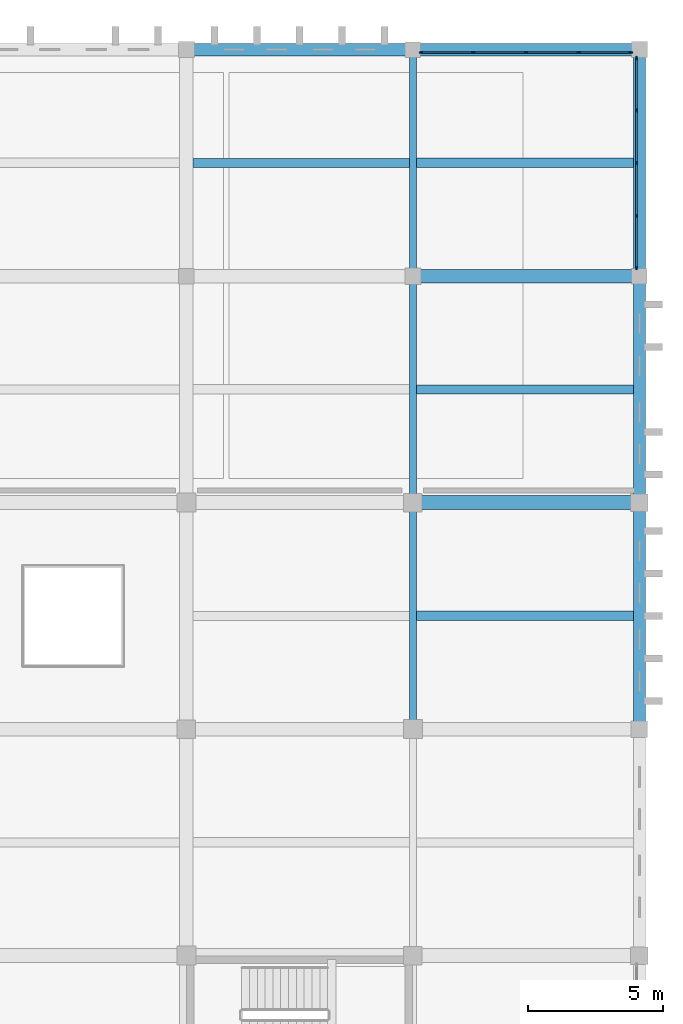
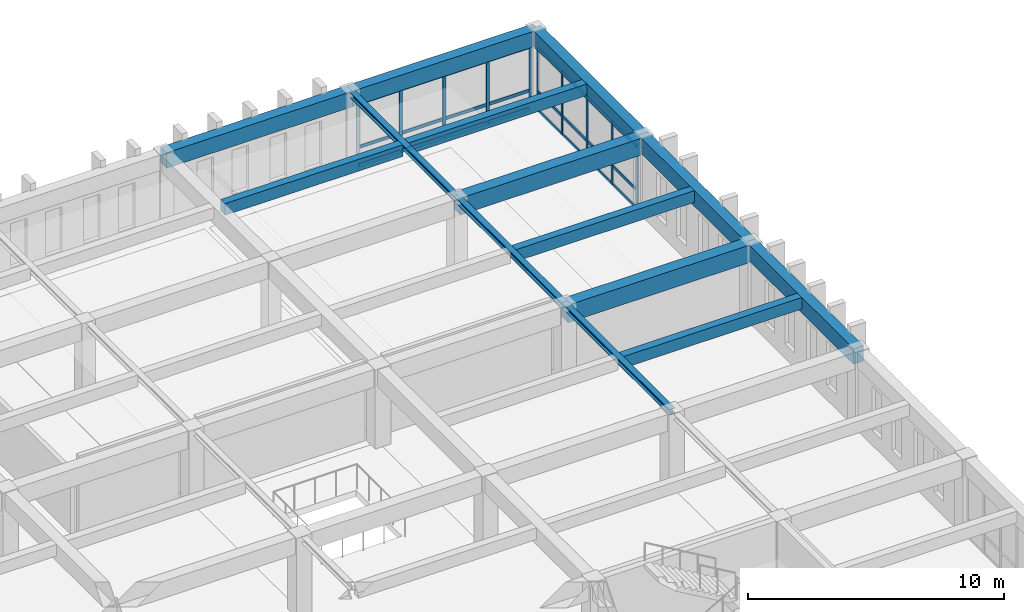
# One storey, part 53 of 110: 34 members, 14 beams, 2 elements without a shape of their own.
"""IFC4 building model written with IfcOpenShell, lengths in metres."""

import ifcopenshell
import ifcopenshell.guid

model = None  # the IFC model being written
_history = None  # IfcOwnerHistory: only IFC2X3 demands one
_inside = {}  # id of a spatial element -> (the spatial element, [elements in it])
_under = {}  # id of a project, library or spatial element -> (it, [spatial elements below it])
_declared = {}  # id of a project -> (the project, [libraries it declares])
_typed = {}  # id of a type object -> (the type object, [elements of that type])
_made_of = {}  # id of a material, layer set ... -> (it, [elements and type objects made of it])


def new_model(schema):
    """Start an empty IFC model of exactly this schema.

    Asked for "IFC4X3", IfcOpenShell would pick the latest addendum, in which some entities
    have other attributes; the version numbers below select the first issue.
    IFC2X3 requires an IfcOwnerHistory on every rooted entity: one is made here for all.
    """
    global model, _history
    if schema == "IFC4X3":
        model = ifcopenshell.file(schema_version=(4, 3, 0, 0))
    else:
        model = ifcopenshell.file(schema=schema)
    _inside.clear()
    _under.clear()
    _declared.clear()
    _typed.clear()
    _made_of.clear()
    _history = None
    if model.schema == "IFC2X3":
        org = make("IfcOrganization", Name="unknown")
        user = make(
            "IfcPersonAndOrganization",
            ThePerson=make("IfcPerson", FamilyName="unknown"),
            TheOrganization=org,
        )
        app = make(
            "IfcApplication",
            ApplicationDeveloper=org,
            Version="unknown",
            ApplicationFullName="unknown",
            ApplicationIdentifier="unknown",
        )
        _history = make(
            "IfcOwnerHistory",
            OwningUser=user,
            OwningApplication=app,
            ChangeAction="ADDED",
            CreationDate=0,
        )
    return model


def make(cls, **values):
    """One entity of the class cls with the attributes given. An attribute that is None is left unset."""
    return model.create_entity(
        cls, **{name: value for name, value in values.items() if value is not None}
    )


def rooted(cls, **values):
    """An entity with a GlobalId (a new one), such as an element, a storey or a relation."""
    return make(cls, GlobalId=ifcopenshell.guid.new(), OwnerHistory=_history, **values)


def si_unit(unit_type, name, prefix=None):
    """IfcSIUnit, for example si_unit("LENGTHUNIT", "METRE", prefix="MILLI")."""
    return make("IfcSIUnit", UnitType=unit_type, Prefix=prefix, Name=name)


def assignment(units):
    """IfcUnitAssignment: the units of a project."""
    return None if units is None else make("IfcUnitAssignment", Units=units)


def point(xyz):
    """IfcCartesianPoint."""
    return None if xyz is None else make("IfcCartesianPoint", Coordinates=xyz)


def direction(xyz):
    """IfcDirection."""
    return None if xyz is None else make("IfcDirection", DirectionRatios=xyz)


def frame(location, z_axis=None, x_axis=None):
    """IfcAxis2Placement3D, a coordinate frame: its origin and axes. An axis left out is left unset."""
    return make(
        "IfcAxis2Placement3D",
        Location=point(location),
        Axis=direction(z_axis),
        RefDirection=direction(x_axis),
    )


def frame_2d(location, x_axis=None):
    """IfcAxis2Placement2D, a coordinate frame in the plane: its origin and x axis."""
    return make(
        "IfcAxis2Placement2D", Location=point(location), RefDirection=direction(x_axis)
    )


def origin():
    """The frame at (0, 0, 0) with its axes left unset."""
    return frame((0.0, 0.0, 0.0))


def origin_2d():
    """The frame at (0, 0) in the plane with its x axis left unset."""
    return frame_2d((0.0, 0.0))


def place(relative_to, where):
    """IfcLocalPlacement: puts the frame where relative to a parent placement (None: the world)."""
    return make(
        "IfcLocalPlacement", PlacementRelTo=relative_to, RelativePlacement=where
    )


def context(
    kind, dimensions, precision=None, world=None, true_north=None, identifier=None
):
    """IfcGeometricRepresentationContext, for example the 3D "Model" context."""
    return make(
        "IfcGeometricRepresentationContext",
        ContextIdentifier=identifier,
        ContextType=kind,
        CoordinateSpaceDimension=dimensions,
        Precision=precision,
        WorldCoordinateSystem=world,
        TrueNorth=true_north,
    )


def subcontext(parent, identifier, kind, view, scale=None):
    """IfcGeometricRepresentationSubContext, for example "Body" below "Model"."""
    return make(
        "IfcGeometricRepresentationSubContext",
        ContextIdentifier=identifier,
        ContextType=kind,
        ParentContext=parent,
        TargetScale=scale,
        TargetView=view,
    )


def project(units=None, contexts=None):
    """IfcProject with its units and contexts."""
    return rooted(
        "IfcProject",
        Name="project",
        RepresentationContexts=contexts,
        UnitsInContext=assignment(units),
    )


def spatial(cls, under=None, at=None, **own):
    """A site, building, storey or space (cls), placed at a placement, below another one or the project."""
    s = rooted(cls, ObjectPlacement=at, **own)
    if under is not None:
        _under.setdefault(under.id(), (under, []))[1].append(s)
    return s


def profile(cls, at=None, kind="AREA", **sizes):
    """A parametric profile (cls). Its sizes go by their IFC names, for example OverallWidth=200.0."""
    return make(cls, ProfileType=kind, Position=at, **sizes)


def rectangle(**sizes):
    """IfcRectangleProfileDef."""
    return profile("IfcRectangleProfileDef", **sizes)


def i_section(**sizes):
    """IfcIShapeProfileDef."""
    return profile("IfcIShapeProfileDef", **sizes)


def extrude(swept, where, along, depth):
    """IfcExtrudedAreaSolid: the profile swept, set in the frame where, extruded along a direction by depth."""
    return make(
        "IfcExtrudedAreaSolid",
        SweptArea=swept,
        Position=where,
        ExtrudedDirection=direction(along),
        Depth=depth,
    )


def shape(context_of_items, identifier, shape_type, items):
    """IfcShapeRepresentation: the items that make up one representation, for example the "Body"."""
    return make(
        "IfcShapeRepresentation",
        ContextOfItems=context_of_items,
        RepresentationIdentifier=identifier,
        RepresentationType=shape_type,
        Items=items,
    )


def material(Name=None, Category=None):
    """IfcMaterial."""
    return make("IfcMaterial", Name=Name, Category=Category)


def layer(
    of_material, thickness, ventilated=None, Name=None, Category=None, Priority=None
):
    """IfcMaterialLayer: one layer of a wall or slab, of a material (None: an air gap)."""
    return make(
        "IfcMaterialLayer",
        Material=of_material,
        LayerThickness=thickness,
        IsVentilated=ventilated,
        Name=Name,
        Category=Category,
        Priority=Priority,
    )


def layer_set(layers, Name=None):
    """IfcMaterialLayerSet."""
    return make("IfcMaterialLayerSet", MaterialLayers=layers, LayerSetName=Name)


def material_profile(
    of_material, cross_section, Name=None, Category=None, Priority=None
):
    """IfcMaterialProfile: a cross section and its material."""
    return make(
        "IfcMaterialProfile",
        Name=Name,
        Material=of_material,
        Profile=cross_section,
        Priority=Priority,
        Category=Category,
    )


def profile_set(profiles, Name=None, composite=None):
    """IfcMaterialProfileSet."""
    return make(
        "IfcMaterialProfileSet",
        Name=Name,
        MaterialProfiles=profiles,
        CompositeProfile=composite,
    )


def made_of(thing, what):
    """Note that an element or type object is made of a material, layer set ...; save() writes the relation."""
    if what is not None:
        _made_of.setdefault(what.id(), (what, []))[1].append(thing)
    return thing


def type_object(cls, material=None, **own):
    """A type object (cls), such as IfcWallType, which elements share."""
    return made_of(rooted(cls, **own), material)


def element(
    cls,
    number,
    at=None,
    inside=None,
    cuts=None,
    type_object=None,
    material=None,
    context=None,
    identifier="Body",
    shape_type=None,
    held_by="IfcProductDefinitionShape",
    body=None,
    shapes=None,
    **own,
):
    """One element of the class cls, such as IfcWall. Its Tag is "e" and its number.

    at: its placement. inside: the storey or other place that contains it. cuts: it is an
    opening in that element (IfcRelVoidsElement). A single representation is given by context,
    identifier, shape_type and body (its items); several are given by shapes. held_by: the class
    of the entity that holds the representations. save() writes the other relations.
    """
    e = rooted(cls, Tag="e%d" % number, ObjectPlacement=at, **own)
    if body is not None:
        shapes = [shape(context, identifier, shape_type, body)]
    if shapes is not None:
        e.Representation = make(held_by, Representations=shapes)
    if inside is not None:
        _inside.setdefault(inside.id(), (inside, []))[1].append(e)
    if cuts is not None:
        rooted(
            "IfcRelVoidsElement", RelatingBuildingElement=cuts, RelatedOpeningElement=e
        )
    if type_object is not None:
        _typed.setdefault(type_object.id(), (type_object, []))[1].append(e)
    return made_of(e, material)


def aggregate(whole, parts):
    """IfcRelAggregates: a whole, such as a stair, and the parts it consists of."""
    return rooted("IfcRelAggregates", RelatingObject=whole, RelatedObjects=parts)


def save(model, path):
    """Write the relations noted so far, then the file.

    IfcRelAggregates (storeys below a building ...), IfcRelContainedInSpatialStructure (elements
    in a storey), IfcRelDefinesByType, IfcRelAssociatesMaterial and IfcRelDeclares: one each for
    every whole, place, type object, material and project.
    """
    for whole, parts in _under.values():
        aggregate(whole, parts)
    for where, things in _inside.values():
        rooted(
            "IfcRelContainedInSpatialStructure",
            RelatedElements=things,
            RelatingStructure=where,
        )
    for kind, things in _typed.values():
        rooted("IfcRelDefinesByType", RelatedObjects=things, RelatingType=kind)
    for what, things in _made_of.values():
        rooted("IfcRelAssociatesMaterial", RelatedObjects=things, RelatingMaterial=what)
    for by, libraries in _declared.values():
        rooted("IfcRelDeclares", RelatingContext=by, RelatedDefinitions=libraries)
    model.write(path)


model = new_model("IFC4")

# Units and contexts
model_context = context("Model", 3, precision=1e-05, world=origin(), true_north=direction((0.0, 1.0)))
body_context = subcontext(model_context, "Body", "Model", "MODEL_VIEW")
ifc_project = project(units=[si_unit("LENGTHUNIT", "METRE"), si_unit("AREAUNIT", "SQUARE_METRE"), si_unit("VOLUMEUNIT", "CUBIC_METRE"), si_unit("PLANEANGLEUNIT", "RADIAN"), si_unit("MASSUNIT", "GRAM", prefix="KILO")], contexts=[model_context])

# Site, building, storey
site_placement = place(None, origin())
site = spatial("IfcSite", under=ifc_project, at=site_placement, CompositionType="ELEMENT")
building_placement = place(site_placement, origin())
building = spatial("IfcBuilding", under=site, at=building_placement, Name="Kveldsbrygga Polytechnic", CompositionType="ELEMENT")
storey_placement = place(building_placement, frame((0.0, 0.0, 9.860107421875)))
storey = spatial("IfcBuildingStorey", under=building, at=storey_placement, Name="L02", CompositionType="ELEMENT", Elevation=9.860107421875)

# Beams
ifc_material_1 = material(Name="Concrete C35/45", Category="concrete")
ifc_material_profile_1 = material_profile(ifc_material_1, rectangle(XDim=0.449951171875, YDim=0.75, at=origin_2d()), Name="RC 450x750")
ifc_profile_set_1 = profile_set([ifc_material_profile_1], Name="Concrete C35/45")
beam_type_1 = type_object("IfcBeamType", Name="BM-RC-450x750", PredefinedType="BEAM", material=ifc_profile_set_1)
beam_1_placement = place(storey_placement, frame((168.0, 92.39990234375, 3.375), z_axis=(0.0, 1.0, 0.0), x_axis=(-1.0, 0.0, 0.0)))
element("IfcBeam", 1, at=beam_1_placement, inside=storey, type_object=beam_type_1, Name="Primary Beam BMY-L02-20-11to12", PredefinedType="BEAM", context=body_context, shape_type="SweptSolid", body=[
    extrude(rectangle(XDim=0.449951171875, YDim=0.75, at=origin_2d()), origin(), (0.0, 0.0, 1.0), 8.400146484375),
])
beam_2_placement = place(storey_placement, frame((168.0, 100.800048828125, 3.375), z_axis=(0.0, 1.0, 0.0), x_axis=(-1.0, 0.0, 0.0)))
element("IfcBeam", 2, at=beam_2_placement, inside=storey, type_object=beam_type_1, Name="Primary Beam BMY-L02-20-12to13", PredefinedType="BEAM", context=body_context, shape_type="SweptSolid", body=[
    extrude(rectangle(XDim=0.449951171875, YDim=0.75, at=origin_2d()), origin(), (0.0, 0.0, 1.0), 8.39990234375),
])
beam_3_placement = place(storey_placement, frame((168.0, 109.199951171875, 3.375), z_axis=(0.0, 1.0, 0.0), x_axis=(-1.0, 0.0, 0.0)))
element("IfcBeam", 3, at=beam_3_placement, inside=storey, type_object=beam_type_1, Name="Primary Beam BMY-L02-20-13to14", PredefinedType="BEAM", context=body_context, shape_type="SweptSolid", body=[
    extrude(rectangle(XDim=0.449951171875, YDim=0.75, at=origin_2d()), origin(), (0.0, 0.0, 1.0), 8.400146484375),
])
ifc_material_profile_2 = material_profile(ifc_material_1, rectangle(XDim=0.4599609375, YDim=0.739990234375, at=origin_2d()), Name="RC 460x740")
ifc_profile_set_2 = profile_set([ifc_material_profile_2], Name="Concrete C35/45")
beam_type_2 = type_object("IfcBeamType", Name="BM-RC-460x740", PredefinedType="BEAM", material=ifc_profile_set_2)
beam_4_placement = place(storey_placement, frame((151.199951171875, 117.60009765625, 3.3798828125), z_axis=(1.0, 0.0, 0.0), x_axis=(0.0, 1.0, 0.0)))
element("IfcBeam", 4, at=beam_4_placement, inside=storey, type_object=beam_type_2, Name="Primary Beam BMX-L02-18to19-14", PredefinedType="BEAM", context=body_context, shape_type="SweptSolid", body=[
    extrude(rectangle(XDim=0.4599609375, YDim=0.739990234375, at=origin_2d()), origin(), (0.0, 0.0, 1.0), 8.400146484375),
])
beam_5_placement = place(storey_placement, frame((159.60009765625, 117.60009765625, 3.3798828125), z_axis=(1.0, 0.0, 0.0), x_axis=(0.0, 1.0, 0.0)))
element("IfcBeam", 5, at=beam_5_placement, inside=storey, type_object=beam_type_2, Name="Primary Beam BMX-L02-19to20-14", PredefinedType="BEAM", context=body_context, shape_type="SweptSolid", body=[
    extrude(rectangle(XDim=0.4599609375, YDim=0.739990234375, at=origin_2d()), origin(), (0.0, 0.0, 1.0), 8.39990234375),
])
ifc_material_profile_3 = material_profile(ifc_material_1, rectangle(XDim=0.5, YDim=0.800048828125, at=origin_2d()), Name="RC 500x800")
ifc_profile_set_3 = profile_set([ifc_material_profile_3], Name="Concrete C35/45")
beam_type_3 = type_object("IfcBeamType", Name="BM-RC-500x800", PredefinedType="BEAM", material=ifc_profile_set_3)
beam_6_placement = place(storey_placement, frame((159.60009765625, 109.199951171875, 3.349853515625), z_axis=(1.0, 0.0, 0.0), x_axis=(0.0, 1.0, 0.0)))
element("IfcBeam", 6, at=beam_6_placement, inside=storey, type_object=beam_type_3, Name="Primary Beam BMX-L02-19to20-13", PredefinedType="BEAM", context=body_context, shape_type="SweptSolid", body=[
    extrude(rectangle(XDim=0.5, YDim=0.800048828125, at=origin_2d()), origin(), (0.0, 0.0, 1.0), 8.39990234375),
])
ifc_material_profile_4 = material_profile(ifc_material_1, rectangle(XDim=0.52001953125, YDim=0.840087890625, at=origin_2d()), Name="RC 520x840")
ifc_profile_set_4 = profile_set([ifc_material_profile_4], Name="Concrete C35/45")
beam_type_4 = type_object("IfcBeamType", Name="BM-RC-520x840", PredefinedType="BEAM", material=ifc_profile_set_4)
beam_7_placement = place(storey_placement, frame((159.60009765625, 100.800048828125, 3.329833984375), z_axis=(1.0, 0.0, 0.0), x_axis=(0.0, 1.0, 0.0)))
element("IfcBeam", 7, at=beam_7_placement, inside=storey, type_object=beam_type_4, Name="Primary Beam BMX-L02-19to20-12", PredefinedType="BEAM", context=body_context, shape_type="SweptSolid", body=[
    extrude(rectangle(XDim=0.52001953125, YDim=0.840087890625, at=origin_2d()), origin(), (0.0, 0.0, 1.0), 8.39990234375),
])
ifc_material_2 = material(Name="Steel S355", Category="steel")
ifc_material_profile_5 = material_profile(ifc_material_2, i_section(OverallWidth=0.260009765625, OverallDepth=0.260009765625, WebThickness=0.010009765625, FlangeThickness=0.017578125, FilletRadius=0.02392578125, at=origin_2d()), Name="HEB 260")
ifc_profile_set_5 = profile_set([ifc_material_profile_5], Name="Steel S355")
beam_type_5 = type_object("IfcBeamType", Name="BM-STL-HEB260", PredefinedType="BEAM", material=ifc_profile_set_5)
beam_8_placement = place(storey_placement, frame((159.60009765625, 92.39990234375, 3.619873046875), z_axis=(0.0, 1.0, 0.0), x_axis=(-1.0, 0.0, 0.0)))
element("IfcBeam", 8, at=beam_8_placement, inside=storey, type_object=beam_type_5, Name="Primary Beam BMY-L02-19-11to12", PredefinedType="BEAM", context=body_context, shape_type="SweptSolid", body=[
    extrude(i_section(OverallWidth=0.260009765625, OverallDepth=0.260009765625, WebThickness=0.010009765625, FlangeThickness=0.017578125, FilletRadius=0.02392578125, at=origin_2d()), origin(), (0.0, 0.0, 1.0), 8.400146484375),
])
beam_9_placement = place(storey_placement, frame((159.60009765625, 100.800048828125, 3.619873046875), z_axis=(0.0, 1.0, 0.0), x_axis=(-1.0, 0.0, 0.0)))
element("IfcBeam", 9, at=beam_9_placement, inside=storey, type_object=beam_type_5, Name="Primary Beam BMY-L02-19-12to13", PredefinedType="BEAM", context=body_context, shape_type="SweptSolid", body=[
    extrude(i_section(OverallWidth=0.260009765625, OverallDepth=0.260009765625, WebThickness=0.010009765625, FlangeThickness=0.017578125, FilletRadius=0.02392578125, at=origin_2d()), origin(), (0.0, 0.0, 1.0), 8.39990234375),
])
beam_10_placement = place(storey_placement, frame((159.60009765625, 109.199951171875, 3.619873046875), z_axis=(0.0, 1.0, 0.0), x_axis=(-1.0, 0.0, 0.0)))
element("IfcBeam", 10, at=beam_10_placement, inside=storey, type_object=beam_type_5, Name="Primary Beam BMY-L02-19-13to14", PredefinedType="BEAM", context=body_context, shape_type="SweptSolid", body=[
    extrude(i_section(OverallWidth=0.260009765625, OverallDepth=0.260009765625, WebThickness=0.010009765625, FlangeThickness=0.017578125, FilletRadius=0.02392578125, at=origin_2d()), origin(), (0.0, 0.0, 1.0), 8.400146484375),
])

# Curtain wall, members
ifc_material_3 = material(Name="Anodised aluminium AW-6060", Category="aluminium")
ifc_layer = layer(ifc_material_3, 0.199951171875)
ifc_layer_set = layer_set([ifc_layer], Name="Anodised aluminium AW-6060")
curtain_wall_type = type_object("IfcCurtainWallType", Name="CW-LANC-E", PredefinedType="USERDEFINED", material=ifc_layer_set)
curtain_wall_1_placement = place(storey_placement, origin())
curtain_wall_1 = element("IfcCurtainWall", 11, at=curtain_wall_1_placement, inside=storey, type_object=curtain_wall_type, Name="Curtain Wall CW-L02-X-19-14", ObjectType="UNITISED CURTAIN WALL", PredefinedType="USERDEFINED")
ifc_material_profile_6 = material_profile(ifc_material_3, rectangle(XDim=0.06005859375, YDim=0.139892578125, at=origin_2d()), Name="ALU 60x140")
ifc_profile_set_6 = profile_set([ifc_material_profile_6], Name="Anodised aluminium AW-6060")
member_type_1 = type_object("IfcMemberType", Name="CW-MUL-140", PredefinedType="MULLION", material=ifc_profile_set_6)
member_1_placement = place(storey_placement, frame((159.905029296875, 117.5, 0.0), z_axis=(0.0, 0.0, 1.0), x_axis=(0.0, 1.0, 0.0)))
member_1 = element("IfcMember", 12, at=member_1_placement, type_object=member_type_1, Name="CW-05 mullion 1", PredefinedType="MULLION", context=body_context, shape_type="SweptSolid", body=[
    extrude(rectangle(XDim=0.06005859375, YDim=0.139892578125, at=origin_2d()), origin(), (0.0, 0.0, 1.0), 3.010009765625),
])
member_2_placement = place(storey_placement, frame((161.8349609375, 117.5, 0.0), z_axis=(0.0, 0.0, 1.0), x_axis=(0.0, 1.0, 0.0)))
member_2 = element("IfcMember", 13, at=member_2_placement, type_object=member_type_1, Name="CW-05 mullion 2", PredefinedType="MULLION", context=body_context, shape_type="SweptSolid", body=[
    extrude(rectangle(XDim=0.06005859375, YDim=0.139892578125, at=origin_2d()), origin(), (0.0, 0.0, 1.0), 3.010009765625),
])
member_3_placement = place(storey_placement, frame((163.794921875, 117.5, 0.0), z_axis=(0.0, 0.0, 1.0), x_axis=(0.0, 1.0, 0.0)))
member_3 = element("IfcMember", 14, at=member_3_placement, type_object=member_type_1, Name="CW-05 mullion 3", PredefinedType="MULLION", context=body_context, shape_type="SweptSolid", body=[
    extrude(rectangle(XDim=0.06005859375, YDim=0.139892578125, at=origin_2d()), origin(), (0.0, 0.0, 1.0), 3.010009765625),
])
member_4_placement = place(storey_placement, frame((165.7548828125, 117.5, 0.0), z_axis=(0.0, 0.0, 1.0), x_axis=(0.0, 1.0, 0.0)))
member_4 = element("IfcMember", 15, at=member_4_placement, type_object=member_type_1, Name="CW-05 mullion 4", PredefinedType="MULLION", context=body_context, shape_type="SweptSolid", body=[
    extrude(rectangle(XDim=0.06005859375, YDim=0.139892578125, at=origin_2d()), origin(), (0.0, 0.0, 1.0), 3.010009765625),
])
member_5_placement = place(storey_placement, frame((167.68505859375, 117.5, 0.0), z_axis=(0.0, 0.0, 1.0), x_axis=(0.0, 1.0, 0.0)))
member_5 = element("IfcMember", 16, at=member_5_placement, type_object=member_type_1, Name="CW-05 mullion 5", PredefinedType="MULLION", context=body_context, shape_type="SweptSolid", body=[
    extrude(rectangle(XDim=0.06005859375, YDim=0.139892578125, at=origin_2d()), origin(), (0.0, 0.0, 1.0), 3.010009765625),
])

curtain_wall_2_placement = place(storey_placement, origin())
curtain_wall_2 = element("IfcCurtainWall", 17, at=curtain_wall_2_placement, inside=storey, type_object=curtain_wall_type, Name="Curtain Wall CW-L02-Y-20-13", ObjectType="UNITISED CURTAIN WALL", PredefinedType="USERDEFINED")
member_6_placement = place(storey_placement, frame((167.89990234375, 109.5048828125, 0.0), z_axis=(0.0, 0.0, 1.0), x_axis=(-1.0, 0.0, 0.0)))
member_6 = element("IfcMember", 18, at=member_6_placement, type_object=member_type_1, Name="CW-05 mullion 1", PredefinedType="MULLION", context=body_context, shape_type="SweptSolid", body=[
    extrude(rectangle(XDim=0.06005859375, YDim=0.139892578125, at=origin_2d()), origin(), (0.0, 0.0, 1.0), 3.0),
])
member_7_placement = place(storey_placement, frame((167.89990234375, 111.43505859375, 0.0), z_axis=(0.0, 0.0, 1.0), x_axis=(-1.0, 0.0, 0.0)))
member_7 = element("IfcMember", 19, at=member_7_placement, type_object=member_type_1, Name="CW-05 mullion 2", PredefinedType="MULLION", context=body_context, shape_type="SweptSolid", body=[
    extrude(rectangle(XDim=0.06005859375, YDim=0.139892578125, at=origin_2d()), origin(), (0.0, 0.0, 1.0), 3.0),
])
member_8_placement = place(storey_placement, frame((167.89990234375, 113.39501953125, 0.0), z_axis=(0.0, 0.0, 1.0), x_axis=(-1.0, 0.0, 0.0)))
member_8 = element("IfcMember", 20, at=member_8_placement, type_object=member_type_1, Name="CW-05 mullion 3", PredefinedType="MULLION", context=body_context, shape_type="SweptSolid", body=[
    extrude(rectangle(XDim=0.06005859375, YDim=0.139892578125, at=origin_2d()), origin(), (0.0, 0.0, 1.0), 3.0),
])
member_9_placement = place(storey_placement, frame((167.89990234375, 115.35498046875, 0.0), z_axis=(0.0, 0.0, 1.0), x_axis=(-1.0, 0.0, 0.0)))
member_9 = element("IfcMember", 21, at=member_9_placement, type_object=member_type_1, Name="CW-05 mullion 4", PredefinedType="MULLION", context=body_context, shape_type="SweptSolid", body=[
    extrude(rectangle(XDim=0.06005859375, YDim=0.139892578125, at=origin_2d()), origin(), (0.0, 0.0, 1.0), 3.0),
])
member_10_placement = place(storey_placement, frame((167.89990234375, 117.284912109375, 0.0), z_axis=(0.0, 0.0, 1.0), x_axis=(-1.0, 0.0, 0.0)))
member_10 = element("IfcMember", 22, at=member_10_placement, type_object=member_type_1, Name="CW-05 mullion 5", PredefinedType="MULLION", context=body_context, shape_type="SweptSolid", body=[
    extrude(rectangle(XDim=0.06005859375, YDim=0.139892578125, at=origin_2d()), origin(), (0.0, 0.0, 1.0), 3.0),
])

# Member
ifc_material_profile_7 = material_profile(ifc_material_3, rectangle(XDim=0.06005859375, YDim=0.14990234375, at=origin_2d()), Name="ALU 60x150")
ifc_profile_set_7 = profile_set([ifc_material_profile_7], Name="Anodised aluminium AW-6060")
member_type_2 = type_object("IfcMemberType", Name="CW-TRN-150", PredefinedType="USERDEFINED", material=ifc_profile_set_7)
member_11_placement = place(storey_placement, frame((159.93505859375, 117.5, 0.02978515625), z_axis=(1.0, 0.0, 0.0), x_axis=(0.0, 1.0, 0.0)))
member_11 = element("IfcMember", 23, at=member_11_placement, type_object=member_type_2, Name="CW-05 transom 1.1", ObjectType="TRANSOM", PredefinedType="USERDEFINED", context=body_context, shape_type="SweptSolid", body=[
    extrude(rectangle(XDim=0.06005859375, YDim=0.14990234375, at=origin_2d()), origin(), (0.0, 0.0, 1.0), 1.869873046875),
])

member_12_placement = place(storey_placement, frame((159.93505859375, 117.5, 0.89990234375), z_axis=(1.0, 0.0, 0.0), x_axis=(0.0, 1.0, 0.0)))
member_12 = element("IfcMember", 24, at=member_12_placement, type_object=member_type_2, Name="CW-05 transom 1.2", ObjectType="TRANSOM", PredefinedType="USERDEFINED", context=body_context, shape_type="SweptSolid", body=[
    extrude(rectangle(XDim=0.06005859375, YDim=0.14990234375, at=origin_2d()), origin(), (0.0, 0.0, 1.0), 1.869873046875),
])

member_13_placement = place(storey_placement, frame((159.93505859375, 117.5, 2.97998046875), z_axis=(1.0, 0.0, 0.0), x_axis=(0.0, 1.0, 0.0)))
member_13 = element("IfcMember", 25, at=member_13_placement, type_object=member_type_2, Name="CW-05 transom 1.3", ObjectType="TRANSOM", PredefinedType="USERDEFINED", context=body_context, shape_type="SweptSolid", body=[
    extrude(rectangle(XDim=0.06005859375, YDim=0.14990234375, at=origin_2d()), origin(), (0.0, 0.0, 1.0), 1.869873046875),
])

member_14_placement = place(storey_placement, frame((161.864990234375, 117.5, 0.02978515625), z_axis=(1.0, 0.0, 0.0), x_axis=(0.0, 1.0, 0.0)))
member_14 = element("IfcMember", 26, at=member_14_placement, type_object=member_type_2, Name="CW-05 transom 2.1", ObjectType="TRANSOM", PredefinedType="USERDEFINED", context=body_context, shape_type="SweptSolid", body=[
    extrude(rectangle(XDim=0.06005859375, YDim=0.14990234375, at=origin_2d()), origin(), (0.0, 0.0, 1.0), 1.89990234375),
])

member_15_placement = place(storey_placement, frame((161.864990234375, 117.5, 0.89990234375), z_axis=(1.0, 0.0, 0.0), x_axis=(0.0, 1.0, 0.0)))
member_15 = element("IfcMember", 27, at=member_15_placement, type_object=member_type_2, Name="CW-05 transom 2.2", ObjectType="TRANSOM", PredefinedType="USERDEFINED", context=body_context, shape_type="SweptSolid", body=[
    extrude(rectangle(XDim=0.06005859375, YDim=0.14990234375, at=origin_2d()), origin(), (0.0, 0.0, 1.0), 1.89990234375),
])

member_16_placement = place(storey_placement, frame((161.864990234375, 117.5, 2.97998046875), z_axis=(1.0, 0.0, 0.0), x_axis=(0.0, 1.0, 0.0)))
member_16 = element("IfcMember", 28, at=member_16_placement, type_object=member_type_2, Name="CW-05 transom 2.3", ObjectType="TRANSOM", PredefinedType="USERDEFINED", context=body_context, shape_type="SweptSolid", body=[
    extrude(rectangle(XDim=0.06005859375, YDim=0.14990234375, at=origin_2d()), origin(), (0.0, 0.0, 1.0), 1.89990234375),
])

member_17_placement = place(storey_placement, frame((163.824951171875, 117.5, 0.02978515625), z_axis=(1.0, 0.0, 0.0), x_axis=(0.0, 1.0, 0.0)))
member_17 = element("IfcMember", 29, at=member_17_placement, type_object=member_type_2, Name="CW-05 transom 3.1", ObjectType="TRANSOM", PredefinedType="USERDEFINED", context=body_context, shape_type="SweptSolid", body=[
    extrude(rectangle(XDim=0.06005859375, YDim=0.14990234375, at=origin_2d()), origin(), (0.0, 0.0, 1.0), 1.900146484375),
])

member_18_placement = place(storey_placement, frame((163.824951171875, 117.5, 0.89990234375), z_axis=(1.0, 0.0, 0.0), x_axis=(0.0, 1.0, 0.0)))
member_18 = element("IfcMember", 30, at=member_18_placement, type_object=member_type_2, Name="CW-05 transom 3.2", ObjectType="TRANSOM", PredefinedType="USERDEFINED", context=body_context, shape_type="SweptSolid", body=[
    extrude(rectangle(XDim=0.06005859375, YDim=0.14990234375, at=origin_2d()), origin(), (0.0, 0.0, 1.0), 1.900146484375),
])

member_19_placement = place(storey_placement, frame((163.824951171875, 117.5, 2.97998046875), z_axis=(1.0, 0.0, 0.0), x_axis=(0.0, 1.0, 0.0)))
member_19 = element("IfcMember", 31, at=member_19_placement, type_object=member_type_2, Name="CW-05 transom 3.3", ObjectType="TRANSOM", PredefinedType="USERDEFINED", context=body_context, shape_type="SweptSolid", body=[
    extrude(rectangle(XDim=0.06005859375, YDim=0.14990234375, at=origin_2d()), origin(), (0.0, 0.0, 1.0), 1.900146484375),
])

member_20_placement = place(storey_placement, frame((165.784912109375, 117.5, 0.02978515625), z_axis=(1.0, 0.0, 0.0), x_axis=(0.0, 1.0, 0.0)))
member_20 = element("IfcMember", 32, at=member_20_placement, type_object=member_type_2, Name="CW-05 transom 4.1", ObjectType="TRANSOM", PredefinedType="USERDEFINED", context=body_context, shape_type="SweptSolid", body=[
    extrude(rectangle(XDim=0.06005859375, YDim=0.14990234375, at=origin_2d()), origin(), (0.0, 0.0, 1.0), 1.8701171875),
])

member_21_placement = place(storey_placement, frame((165.784912109375, 117.5, 0.89990234375), z_axis=(1.0, 0.0, 0.0), x_axis=(0.0, 1.0, 0.0)))
member_21 = element("IfcMember", 33, at=member_21_placement, type_object=member_type_2, Name="CW-05 transom 4.2", ObjectType="TRANSOM", PredefinedType="USERDEFINED", context=body_context, shape_type="SweptSolid", body=[
    extrude(rectangle(XDim=0.06005859375, YDim=0.14990234375, at=origin_2d()), origin(), (0.0, 0.0, 1.0), 1.8701171875),
])

member_22_placement = place(storey_placement, frame((165.784912109375, 117.5, 2.97998046875), z_axis=(1.0, 0.0, 0.0), x_axis=(0.0, 1.0, 0.0)))
member_22 = element("IfcMember", 34, at=member_22_placement, type_object=member_type_2, Name="CW-05 transom 4.3", ObjectType="TRANSOM", PredefinedType="USERDEFINED", context=body_context, shape_type="SweptSolid", body=[
    extrude(rectangle(XDim=0.06005859375, YDim=0.14990234375, at=origin_2d()), origin(), (0.0, 0.0, 1.0), 1.8701171875),
])

aggregate(curtain_wall_1, [member_1, member_2, member_3, member_4, member_5, member_11, member_12, member_13, member_14, member_15, member_16, member_17, member_18, member_19, member_20, member_21, member_22])

member_23_placement = place(storey_placement, frame((167.89990234375, 109.534912109375, 0.02978515625), z_axis=(0.0, 1.0, 0.0), x_axis=(-1.0, 0.0, 0.0)))
member_23 = element("IfcMember", 35, at=member_23_placement, type_object=member_type_2, Name="CW-05 transom 1.1", ObjectType="TRANSOM", PredefinedType="USERDEFINED", context=body_context, shape_type="SweptSolid", body=[
    extrude(rectangle(XDim=0.06005859375, YDim=0.14990234375, at=origin_2d()), origin(), (0.0, 0.0, 1.0), 1.8701171875),
])

member_24_placement = place(storey_placement, frame((167.89990234375, 109.534912109375, 0.89990234375), z_axis=(0.0, 1.0, 0.0), x_axis=(-1.0, 0.0, 0.0)))
member_24 = element("IfcMember", 36, at=member_24_placement, type_object=member_type_2, Name="CW-05 transom 1.2", ObjectType="TRANSOM", PredefinedType="USERDEFINED", context=body_context, shape_type="SweptSolid", body=[
    extrude(rectangle(XDim=0.06005859375, YDim=0.14990234375, at=origin_2d()), origin(), (0.0, 0.0, 1.0), 1.8701171875),
])

member_25_placement = place(storey_placement, frame((167.89990234375, 109.534912109375, 2.969970703125), z_axis=(0.0, 1.0, 0.0), x_axis=(-1.0, 0.0, 0.0)))
member_25 = element("IfcMember", 37, at=member_25_placement, type_object=member_type_2, Name="CW-05 transom 1.3", ObjectType="TRANSOM", PredefinedType="USERDEFINED", context=body_context, shape_type="SweptSolid", body=[
    extrude(rectangle(XDim=0.06005859375, YDim=0.14990234375, at=origin_2d()), origin(), (0.0, 0.0, 1.0), 1.8701171875),
])

member_26_placement = place(storey_placement, frame((167.89990234375, 111.465087890625, 0.02978515625), z_axis=(0.0, 1.0, 0.0), x_axis=(-1.0, 0.0, 0.0)))
member_26 = element("IfcMember", 38, at=member_26_placement, type_object=member_type_2, Name="CW-05 transom 2.1", ObjectType="TRANSOM", PredefinedType="USERDEFINED", context=body_context, shape_type="SweptSolid", body=[
    extrude(rectangle(XDim=0.06005859375, YDim=0.14990234375, at=origin_2d()), origin(), (0.0, 0.0, 1.0), 1.89990234375),
])

member_27_placement = place(storey_placement, frame((167.89990234375, 111.465087890625, 0.89990234375), z_axis=(0.0, 1.0, 0.0), x_axis=(-1.0, 0.0, 0.0)))
member_27 = element("IfcMember", 39, at=member_27_placement, type_object=member_type_2, Name="CW-05 transom 2.2", ObjectType="TRANSOM", PredefinedType="USERDEFINED", context=body_context, shape_type="SweptSolid", body=[
    extrude(rectangle(XDim=0.06005859375, YDim=0.14990234375, at=origin_2d()), origin(), (0.0, 0.0, 1.0), 1.89990234375),
])

member_28_placement = place(storey_placement, frame((167.89990234375, 111.465087890625, 2.969970703125), z_axis=(0.0, 1.0, 0.0), x_axis=(-1.0, 0.0, 0.0)))
member_28 = element("IfcMember", 40, at=member_28_placement, type_object=member_type_2, Name="CW-05 transom 2.3", ObjectType="TRANSOM", PredefinedType="USERDEFINED", context=body_context, shape_type="SweptSolid", body=[
    extrude(rectangle(XDim=0.06005859375, YDim=0.14990234375, at=origin_2d()), origin(), (0.0, 0.0, 1.0), 1.89990234375),
])

member_29_placement = place(storey_placement, frame((167.89990234375, 113.425048828125, 0.02978515625), z_axis=(0.0, 1.0, 0.0), x_axis=(-1.0, 0.0, 0.0)))
member_29 = element("IfcMember", 41, at=member_29_placement, type_object=member_type_2, Name="CW-05 transom 3.1", ObjectType="TRANSOM", PredefinedType="USERDEFINED", context=body_context, shape_type="SweptSolid", body=[
    extrude(rectangle(XDim=0.06005859375, YDim=0.14990234375, at=origin_2d()), origin(), (0.0, 0.0, 1.0), 1.89990234375),
])

member_30_placement = place(storey_placement, frame((167.89990234375, 113.425048828125, 0.89990234375), z_axis=(0.0, 1.0, 0.0), x_axis=(-1.0, 0.0, 0.0)))
member_30 = element("IfcMember", 42, at=member_30_placement, type_object=member_type_2, Name="CW-05 transom 3.2", ObjectType="TRANSOM", PredefinedType="USERDEFINED", context=body_context, shape_type="SweptSolid", body=[
    extrude(rectangle(XDim=0.06005859375, YDim=0.14990234375, at=origin_2d()), origin(), (0.0, 0.0, 1.0), 1.89990234375),
])

member_31_placement = place(storey_placement, frame((167.89990234375, 113.425048828125, 2.969970703125), z_axis=(0.0, 1.0, 0.0), x_axis=(-1.0, 0.0, 0.0)))
member_31 = element("IfcMember", 43, at=member_31_placement, type_object=member_type_2, Name="CW-05 transom 3.3", ObjectType="TRANSOM", PredefinedType="USERDEFINED", context=body_context, shape_type="SweptSolid", body=[
    extrude(rectangle(XDim=0.06005859375, YDim=0.14990234375, at=origin_2d()), origin(), (0.0, 0.0, 1.0), 1.89990234375),
])

member_32_placement = place(storey_placement, frame((167.89990234375, 115.385009765625, 0.02978515625), z_axis=(0.0, 1.0, 0.0), x_axis=(-1.0, 0.0, 0.0)))
member_32 = element("IfcMember", 44, at=member_32_placement, type_object=member_type_2, Name="CW-05 transom 4.1", ObjectType="TRANSOM", PredefinedType="USERDEFINED", context=body_context, shape_type="SweptSolid", body=[
    extrude(rectangle(XDim=0.06005859375, YDim=0.14990234375, at=origin_2d()), origin(), (0.0, 0.0, 1.0), 1.869873046875),
])

member_33_placement = place(storey_placement, frame((167.89990234375, 115.385009765625, 0.89990234375), z_axis=(0.0, 1.0, 0.0), x_axis=(-1.0, 0.0, 0.0)))
member_33 = element("IfcMember", 45, at=member_33_placement, type_object=member_type_2, Name="CW-05 transom 4.2", ObjectType="TRANSOM", PredefinedType="USERDEFINED", context=body_context, shape_type="SweptSolid", body=[
    extrude(rectangle(XDim=0.06005859375, YDim=0.14990234375, at=origin_2d()), origin(), (0.0, 0.0, 1.0), 1.869873046875),
])

member_34_placement = place(storey_placement, frame((167.89990234375, 115.385009765625, 2.969970703125), z_axis=(0.0, 1.0, 0.0), x_axis=(-1.0, 0.0, 0.0)))
member_34 = element("IfcMember", 46, at=member_34_placement, type_object=member_type_2, Name="CW-05 transom 4.3", ObjectType="TRANSOM", PredefinedType="USERDEFINED", context=body_context, shape_type="SweptSolid", body=[
    extrude(rectangle(XDim=0.06005859375, YDim=0.14990234375, at=origin_2d()), origin(), (0.0, 0.0, 1.0), 1.869873046875),
])

aggregate(curtain_wall_2, [member_6, member_7, member_8, member_9, member_10, member_23, member_24, member_25, member_26, member_27, member_28, member_29, member_30, member_31, member_32, member_33, member_34])

# Beams
ifc_material_profile_8 = material_profile(ifc_material_1, rectangle(XDim=0.340087890625, YDim=0.56005859375, at=origin_2d()), Name="RC 340x560")
ifc_profile_set_8 = profile_set([ifc_material_profile_8], Name="Concrete C35/45")
beam_type_6 = type_object("IfcBeamType", Name="JST-RC-340x560", PredefinedType="JOIST", material=ifc_profile_set_8)
beam_11_placement = place(storey_placement, frame((151.449951171875, 113.39990234375, 3.469970703125), z_axis=(1.0, 0.0, 0.0), x_axis=(0.0, 1.0, 0.0)))
element("IfcBeam", 47, at=beam_11_placement, inside=storey, type_object=beam_type_6, Name="Secondary Joist JST-L02-18-13", PredefinedType="JOIST", context=body_context, shape_type="SweptSolid", body=[
    extrude(rectangle(XDim=0.340087890625, YDim=0.56005859375, at=origin_2d()), origin(), (0.0, 0.0, 1.0), 8.02001953125),
])
beam_12_placement = place(storey_placement, frame((159.72998046875, 105.0, 3.469970703125), z_axis=(1.0, 0.0, 0.0), x_axis=(0.0, 1.0, 0.0)))
element("IfcBeam", 48, at=beam_12_placement, inside=storey, type_object=beam_type_6, Name="Secondary Joist JST-L02-19-12", PredefinedType="JOIST", context=body_context, shape_type="SweptSolid", body=[
    extrude(rectangle(XDim=0.340087890625, YDim=0.56005859375, at=origin_2d()), origin(), (0.0, 0.0, 1.0), 8.044921875),
])
ifc_material_profile_9 = material_profile(ifc_material_1, rectangle(XDim=0.35009765625, YDim=0.550048828125, at=origin_2d()), Name="RC 350x550")
ifc_profile_set_9 = profile_set([ifc_material_profile_9], Name="Concrete C35/45")
beam_type_7 = type_object("IfcBeamType", Name="JST-RC-350x550", PredefinedType="JOIST", material=ifc_profile_set_9)
for number, where, z_axis, x_axis, name in (
    (49, (159.72998046875, 96.60009765625, 3.474853515625), (1.0, 0.0, 0.0), (0.0, 1.0, 0.0), "Secondary Joist JST-L02-19-11"),
    (50, (159.72998046875, 113.39990234375, 3.474853515625), (1.0, 0.0, 0.0), (0.0, 1.0, 0.0), "Secondary Joist JST-L02-19-13"),
):
    element("IfcBeam", number, at=place(storey_placement, frame(where, z_axis=z_axis, x_axis=x_axis)), inside=storey, type_object=beam_type_7, Name=name, PredefinedType="JOIST", context=body_context, shape_type="SweptSolid", body=[
        extrude(rectangle(XDim=0.35009765625, YDim=0.550048828125, at=origin_2d()), origin(), (0.0, 0.0, 1.0), 8.044921875),
    ])

save(model, "model.ifc")
